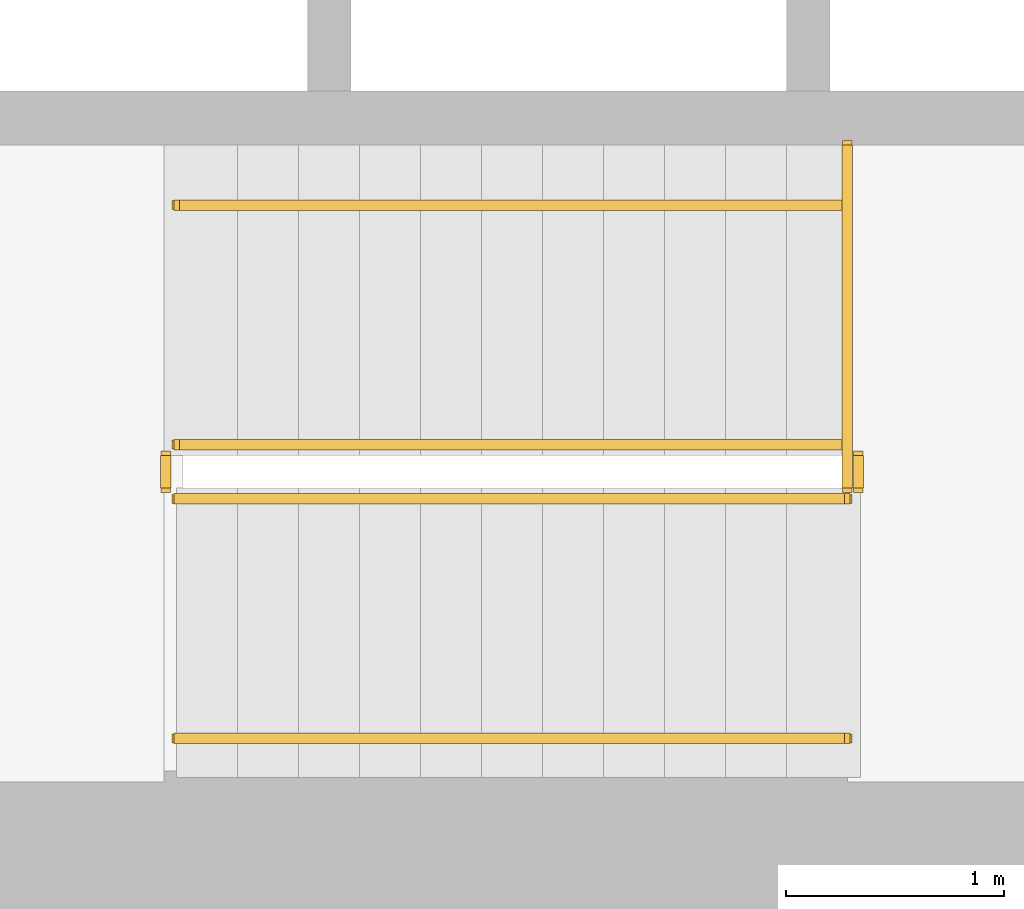
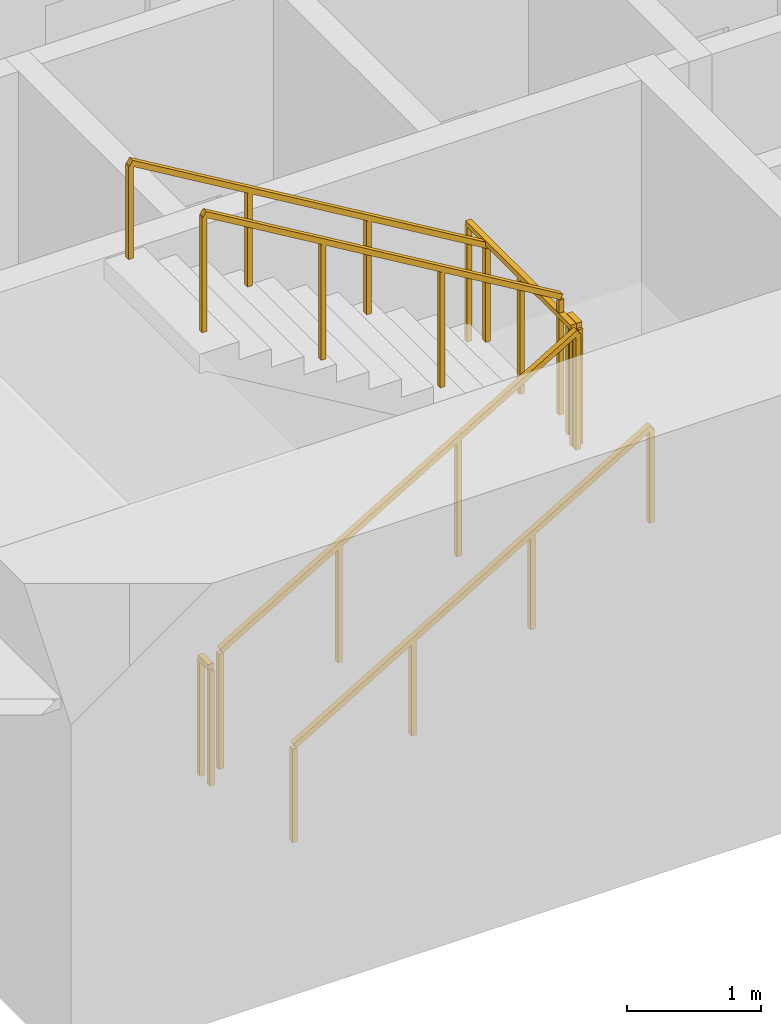
# One storey, part 14 of 17: 7 railings.
"""IFC4 building model written with IfcOpenShell, lengths in metres."""

from ifc_helpers import new_model, si_unit, direction, frame, origin, origin_2d, place, context, subcontext, project, spatial, rectangle, extrude, material, type_object, element, save


model = new_model("IFC4")

# Units and contexts
model_context = context("Model", 3, precision=1e-05, world=origin(), true_north=direction((0.0, 1.0)))
body_context = subcontext(model_context, "Body", "Model", "MODEL_VIEW")
ifc_project = project(units=[si_unit("LENGTHUNIT", "METRE"), si_unit("AREAUNIT", "SQUARE_METRE"), si_unit("VOLUMEUNIT", "CUBIC_METRE"), si_unit("PLANEANGLEUNIT", "RADIAN"), si_unit("MASSUNIT", "GRAM", prefix="KILO")], contexts=[model_context])

# Site, building, storey
site_placement = place(None, origin())
site = spatial("IfcSite", under=ifc_project, at=site_placement, CompositionType="ELEMENT")
building_placement = place(site_placement, origin())
building = spatial("IfcBuilding", under=site, at=building_placement, Name="Sennacour Bend Tower", CompositionType="ELEMENT")
storey_placement = place(building_placement, frame((0.0, 0.0, 49.0)))
storey = spatial("IfcBuildingStorey", under=building, at=storey_placement, Name="L10", CompositionType="ELEMENT", Elevation=49.0)

# Railings
ifc_material = material(Name="Stainless steel", Category="steel")
railing_type_1 = type_object("IfcRailingType", Name="RL-GUARD-1100", PredefinedType="GUARDRAIL", material=ifc_material)
railing_1_placement = place(storey_placement, frame((56.699951171875, 2.449951171875, 0.166748046875)))
element("IfcRailing", 1, at=railing_1_placement, inside=storey, type_object=railing_type_1, Name="L10 SA1 stair guard 1", PredefinedType="GUARDRAIL", context=body_context, shape_type="SweptSolid", body=[
    extrude(rectangle(XDim=0.048095703125, YDim=0.048095703125, at=origin_2d()), frame((0.0, 0.0, 1.076171875), z_axis=(0.859308565015, 0.0, 0.511457515432), x_axis=(0.0, 1.0, 0.0)), (0.0, 0.0, 1.0), 3.58447265625),
    extrude(rectangle(XDim=0.0419921875, YDim=0.0419921875, at=origin_2d()), origin(), (0.0, 0.0, 1.0), 1.052001953125),
    extrude(rectangle(XDim=0.0419921875, YDim=0.0419921875, at=origin_2d()), frame((1.026611328125, 0.0, 0.611083984375)), (0.0, 0.0, 1.0), 1.052001953125),
    extrude(rectangle(XDim=0.0419921875, YDim=0.0419921875, at=origin_2d()), frame((2.053466796875, 0.0, 1.22216796875)), (0.0, 0.0, 1.0), 1.052001953125),
    extrude(rectangle(XDim=0.0419921875, YDim=0.0419921875, at=origin_2d()), frame((3.080078125, 0.0, 1.833251953125)), (0.0, 0.0, 1.0), 1.052001953125),
])
railing_2_placement = place(storey_placement, frame((59.830078125, 2.5, 2.0)))
element("IfcRailing", 2, at=railing_2_placement, inside=storey, type_object=railing_type_1, Name="L10 SA1 stair guard 2", PredefinedType="GUARDRAIL", context=body_context, shape_type="SweptSolid", body=[
    extrude(rectangle(XDim=0.048095703125, YDim=0.048095703125, at=origin_2d()), frame((0.0, 0.0, 1.076171875), z_axis=(0.0, 1.0, 0.0), x_axis=(-1.0, 0.0, 0.0)), (0.0, 0.0, 1.0), 0.14990234375),
    extrude(rectangle(XDim=0.0419921875, YDim=0.0419921875, at=origin_2d()), origin(), (0.0, 0.0, 1.0), 1.052001953125),
    extrude(rectangle(XDim=0.0419921875, YDim=0.0419921875, at=origin_2d()), frame((0.0, 0.14990234375, 0.0)), (0.0, 0.0, 1.0), 1.052001953125),
])
railing_3_placement = place(storey_placement, frame((59.780029296875, 2.699951171875, 2.166748046875)))
element("IfcRailing", 3, at=railing_3_placement, inside=storey, type_object=railing_type_1, Name="L10 SA1 stair guard 4", PredefinedType="GUARDRAIL", context=body_context, shape_type="SweptSolid", body=[
    extrude(rectangle(XDim=0.048095703125, YDim=0.048095703125, at=origin_2d()), frame((0.0, 0.0, 1.076171875), z_axis=(-0.859308565015, 0.0, 0.511457515432), x_axis=(0.0, -1.0, 0.0)), (0.0, 0.0, 1.0), 3.58447265625),
    extrude(rectangle(XDim=0.0419921875, YDim=0.0419921875, at=origin_2d()), origin(), (0.0, 0.0, 1.0), 1.052001953125),
    extrude(rectangle(XDim=0.0419921875, YDim=0.0419921875, at=origin_2d()), frame((-1.026611328125, 0.0, 0.611083984375)), (0.0, 0.0, 1.0), 1.052001953125),
    extrude(rectangle(XDim=0.0419921875, YDim=0.0419921875, at=origin_2d()), frame((-2.053466796875, 0.0, 1.22216796875)), (0.0, 0.0, 1.0), 1.052001953125),
    extrude(rectangle(XDim=0.0419921875, YDim=0.0419921875, at=origin_2d()), frame((-3.080078125, 0.0, 1.833251953125)), (0.0, 0.0, 1.0), 1.052001953125),
])
railing_4_placement = place(storey_placement, frame((56.64990234375, 2.5, 0.0)))
element("IfcRailing", 4, at=railing_4_placement, inside=storey, type_object=railing_type_1, Name="L10 SA1 stair guard 5", PredefinedType="GUARDRAIL", context=body_context, shape_type="SweptSolid", body=[
    extrude(rectangle(XDim=0.048095703125, YDim=0.048095703125, at=origin_2d()), frame((0.0, 0.0, 1.076171875), z_axis=(0.0, 1.0, 0.0), x_axis=(-1.0, 0.0, 0.0)), (0.0, 0.0, 1.0), 0.14990234375),
    extrude(rectangle(XDim=0.0419921875, YDim=0.0419921875, at=origin_2d()), origin(), (0.0, 0.0, 1.0), 1.052001953125),
    extrude(rectangle(XDim=0.0419921875, YDim=0.0419921875, at=origin_2d()), frame((0.0, 0.14990234375, 0.0)), (0.0, 0.0, 1.0), 1.052001953125),
])
railing_5_placement = place(storey_placement, frame((59.780029296875, 2.5, 2.0)))
element("IfcRailing", 5, at=railing_5_placement, inside=storey, type_object=railing_type_1, Name="L10 SA1 landing edge guard 25", PredefinedType="GUARDRAIL", context=body_context, shape_type="SweptSolid", body=[
    extrude(rectangle(XDim=0.048095703125, YDim=0.048095703125, at=origin_2d()), frame((0.0, 0.0, 1.076171875), z_axis=(0.0, 1.0, 0.0), x_axis=(-1.0, 0.0, 0.0)), (0.0, 0.0, 1.0), 1.574951171875),
    extrude(rectangle(XDim=0.0419921875, YDim=0.0419921875, at=origin_2d()), origin(), (0.0, 0.0, 1.0), 1.052001953125),
    extrude(rectangle(XDim=0.0419921875, YDim=0.0419921875, at=origin_2d()), frame((0.0, 0.78759765625, 0.0)), (0.0, 0.0, 1.0), 1.052001953125),
    extrude(rectangle(XDim=0.0419921875, YDim=0.0419921875, at=origin_2d()), frame((0.0, 1.574951171875, 0.0)), (0.0, 0.0, 1.0), 1.052001953125),
])
railing_type_2 = type_object("IfcRailingType", Name="RL-HANDRAIL-900", PredefinedType="HANDRAIL", material=ifc_material)
railing_6_placement = place(storey_placement, frame((56.699951171875, 1.35009765625, 0.166748046875)))
element("IfcRailing", 6, at=railing_6_placement, inside=storey, type_object=railing_type_2, Name="L10 SA1 stair handrail 1", PredefinedType="HANDRAIL", context=body_context, shape_type="SweptSolid", body=[
    extrude(rectangle(XDim=0.048095703125, YDim=0.048095703125, at=origin_2d()), frame((0.0, 0.0, 0.8759765625), z_axis=(0.859308565015, 0.0, 0.511457515432), x_axis=(0.0, 1.0, 0.0)), (0.0, 0.0, 1.0), 3.58447265625),
    extrude(rectangle(XDim=0.0419921875, YDim=0.0419921875, at=origin_2d()), origin(), (0.0, 0.0, 1.0), 0.851806640625),
    extrude(rectangle(XDim=0.0419921875, YDim=0.0419921875, at=origin_2d()), frame((1.026611328125, 0.0, 0.611083984375)), (0.0, 0.0, 1.0), 0.851806640625),
    extrude(rectangle(XDim=0.0419921875, YDim=0.0419921875, at=origin_2d()), frame((2.053466796875, 0.0, 1.22216796875)), (0.0, 0.0, 1.0), 0.851806640625),
    extrude(rectangle(XDim=0.0419921875, YDim=0.0419921875, at=origin_2d()), frame((3.080078125, 0.0, 1.833251953125)), (0.0, 0.0, 1.0), 0.851806640625),
])
railing_7_placement = place(storey_placement, frame((59.780029296875, 3.800048828125, 2.166748046875)))
element("IfcRailing", 7, at=railing_7_placement, inside=storey, type_object=railing_type_2, Name="L10 SA1 stair handrail 2", PredefinedType="HANDRAIL", context=body_context, shape_type="SweptSolid", body=[
    extrude(rectangle(XDim=0.048095703125, YDim=0.048095703125, at=origin_2d()), frame((0.0, 0.0, 0.8759765625), z_axis=(-0.859308565015, 0.0, 0.511457515432), x_axis=(0.0, -1.0, 0.0)), (0.0, 0.0, 1.0), 3.58447265625),
    extrude(rectangle(XDim=0.0419921875, YDim=0.0419921875, at=origin_2d()), origin(), (0.0, 0.0, 1.0), 0.851806640625),
    extrude(rectangle(XDim=0.0419921875, YDim=0.0419921875, at=origin_2d()), frame((-1.026611328125, 0.0, 0.611083984375)), (0.0, 0.0, 1.0), 0.851806640625),
    extrude(rectangle(XDim=0.0419921875, YDim=0.0419921875, at=origin_2d()), frame((-2.053466796875, 0.0, 1.22216796875)), (0.0, 0.0, 1.0), 0.851806640625),
    extrude(rectangle(XDim=0.0419921875, YDim=0.0419921875, at=origin_2d()), frame((-3.080078125, 0.0, 1.833251953125)), (0.0, 0.0, 1.0), 0.851806640625),
])

save(model, "model.ifc")
